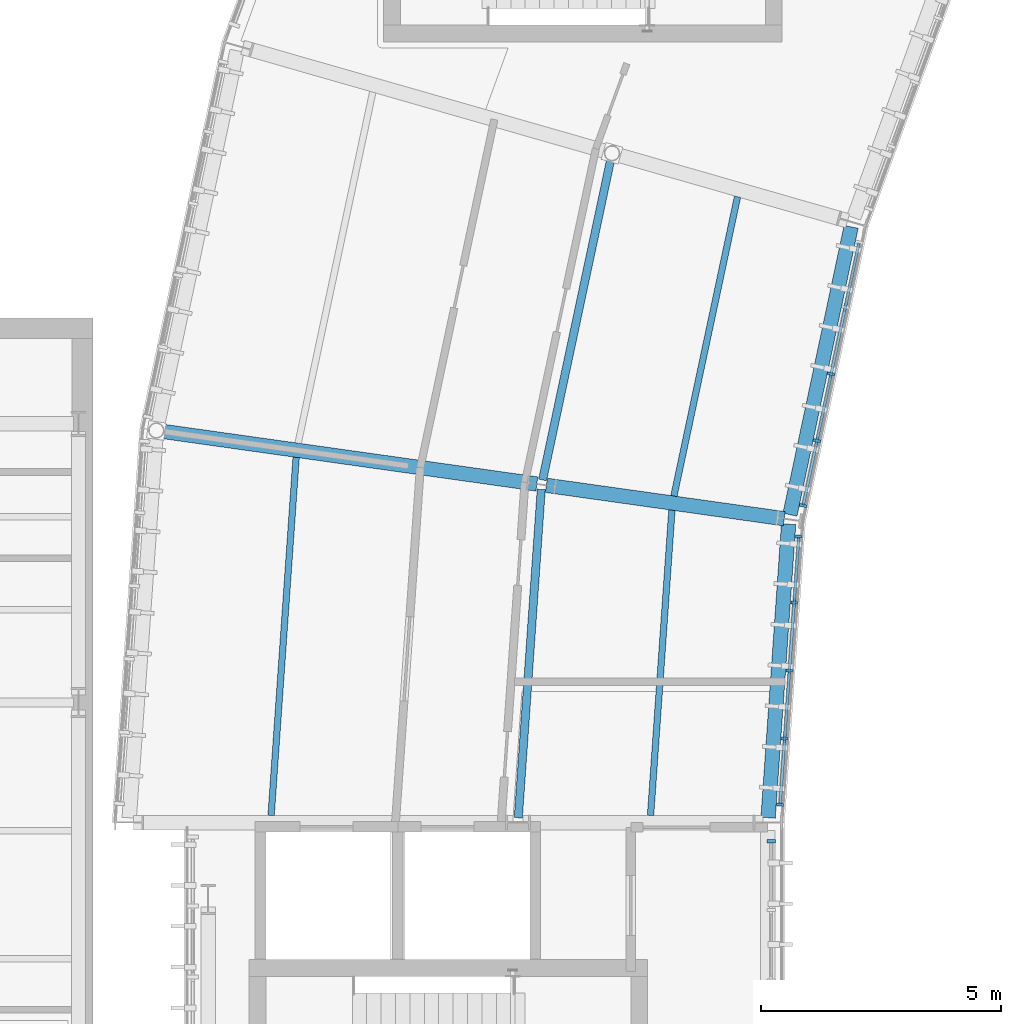
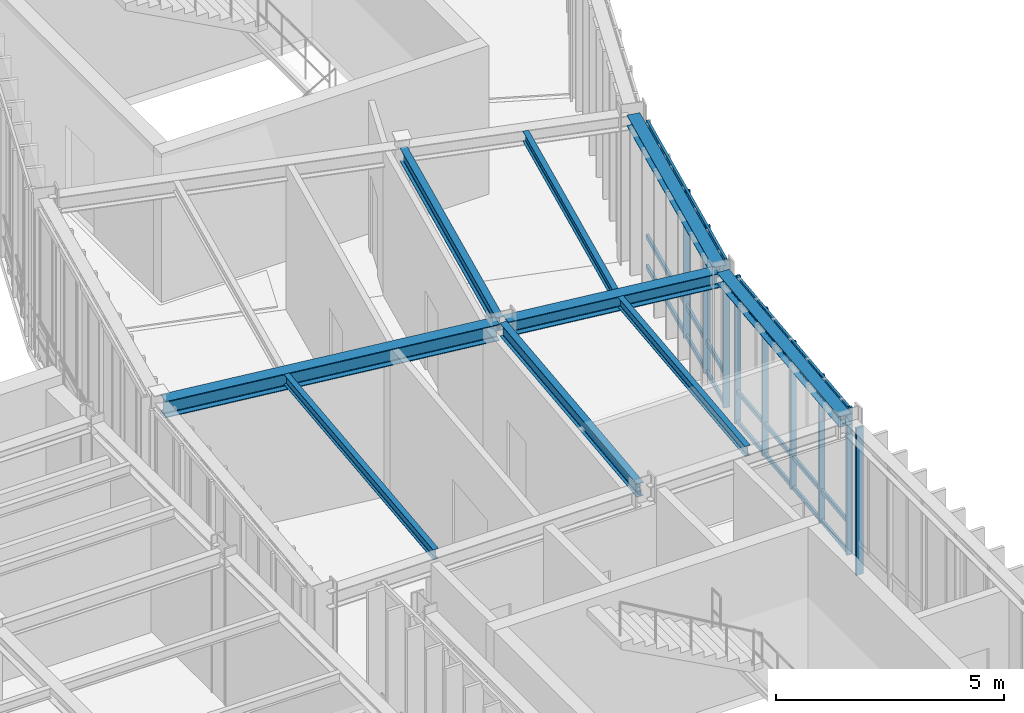
# One storey, part 19 of 148: 15 members, 9 beams, 3 elements without a shape of their own.
"""IFC4 building model written with IfcOpenShell, lengths in metres."""

from ifc_helpers import new_model, si_unit, direction, frame, origin, origin_2d, place, context, subcontext, project, spatial, rectangle, i_section, extrude, material, layer, layer_set, material_profile, profile_set, type_object, element, aggregate, save


model = new_model("IFC4")

# Units and contexts
model_context = context("Model", 3, precision=1e-05, world=origin(), true_north=direction((0.0, 1.0)))
body_context = subcontext(model_context, "Body", "Model", "MODEL_VIEW")
ifc_project = project(units=[si_unit("LENGTHUNIT", "METRE"), si_unit("AREAUNIT", "SQUARE_METRE"), si_unit("VOLUMEUNIT", "CUBIC_METRE"), si_unit("PLANEANGLEUNIT", "RADIAN"), si_unit("MASSUNIT", "GRAM", prefix="KILO"), si_unit("THERMODYNAMICTEMPERATUREUNIT", "KELVIN"), si_unit("POWERUNIT", "WATT")], contexts=[model_context])

# Site, building, storey
site_placement = place(None, origin())
site = spatial("IfcSite", under=ifc_project, at=site_placement, CompositionType="ELEMENT")
building_placement = place(site_placement, origin())
building = spatial("IfcBuilding", under=site, at=building_placement, Name="Solvatero Civic Police Headquarters", CompositionType="ELEMENT")
storey_placement = place(building_placement, frame((0.0, 0.0, 5.10009765625)))
storey = spatial("IfcBuildingStorey", under=building, at=storey_placement, Name="L01", CompositionType="ELEMENT", Elevation=5.10009765625)

# Beams
ifc_material_1 = material(Name="Steel S355", Category="steel")
ifc_material_profile_1 = material_profile(ifc_material_1, i_section(OverallWidth=0.300048828125, OverallDepth=0.2900390625, WebThickness=0.008544921875, FlangeThickness=0.013916015625, FilletRadius=0.027099609375, at=origin_2d()), Name="HEA 300")
ifc_profile_set_1 = profile_set([ifc_material_profile_1], Name="Steel S355")
beam_type_1 = type_object("IfcBeamType", Name="BM-ST-HEA300", PredefinedType="SPANDREL", material=ifc_profile_set_1)
beam_1_placement = place(storey_placement, frame((50.385986328125, 38.40234375, 3.8349609375), z_axis=(-0.207917848731, -0.978146291809, 0.0), x_axis=(0.978146291809, -0.207917848731, 0.0)))
element("IfcBeam", 1, at=beam_1_placement, inside=storey, type_object=beam_type_1, Name="Perimeter / radial spandrel beam BM-R2-L01-ARC-CIN-B11", PredefinedType="SPANDREL", context=body_context, shape_type="SweptSolid", body=[
    extrude(i_section(OverallWidth=0.300048828125, OverallDepth=0.2900390625, WebThickness=0.008544921875, FlangeThickness=0.013916015625, FilletRadius=0.027099609375, at=origin_2d()), origin(), (0.0, 0.0, 1.0), 6.126953125),
])
beam_2_placement = place(storey_placement, frame((49.084228515625, 32.211669921875, 3.8349609375), z_axis=(-0.069734750573, -0.997565569054, 0.0), x_axis=(0.997565569054, -0.069734750573, 0.0)))
element("IfcBeam", 2, at=beam_2_placement, inside=storey, type_object=beam_type_1, Name="Perimeter / radial spandrel beam BM-R2-L01-ARC-CIN-B12", PredefinedType="SPANDREL", context=body_context, shape_type="SweptSolid", body=[
    extrude(i_section(OverallWidth=0.300048828125, OverallDepth=0.2900390625, WebThickness=0.008544921875, FlangeThickness=0.013916015625, FilletRadius=0.027099609375, at=origin_2d()), origin(), (0.0, 0.0, 1.0), 6.126708984375),
])
ifc_material_profile_2 = material_profile(ifc_material_1, i_section(OverallWidth=0.300048828125, OverallDepth=0.389892578125, WebThickness=0.010986328125, FlangeThickness=0.01904296875, FilletRadius=0.027099609375, at=origin_2d()), Name="HEA 400")
ifc_profile_set_2 = profile_set([ifc_material_profile_2], Name="Steel S355")
beam_type_2 = type_object("IfcBeamType", Name="BM-ST-HEA400", PredefinedType="BEAM", material=ifc_profile_set_2)
beam_3_placement = place(storey_placement, frame((48.9921875, 32.325439453125, 3.784912109375), z_axis=(-0.990269200152, 0.139165050317, 0.0), x_axis=(-0.139165050317, -0.990269200152, 0.0)))
element("IfcBeam", 3, at=beam_3_placement, inside=storey, type_object=beam_type_2, Name="Primary girder BM-R2-L01-ARC-RAD1-S11", PredefinedType="BEAM", context=body_context, shape_type="SweptSolid", body=[
    extrude(i_section(OverallWidth=0.300048828125, OverallDepth=0.389892578125, WebThickness=0.010986328125, FlangeThickness=0.01904296875, FilletRadius=0.027099609375, at=origin_2d()), origin(), (0.0, 0.0, 1.0), 4.999755859375),
])
ifc_material_profile_3 = material_profile(ifc_material_1, i_section(OverallWidth=0.300048828125, OverallDepth=0.43994140625, WebThickness=0.011474609375, FlangeThickness=0.02099609375, FilletRadius=0.027099609375, at=origin_2d()), Name="HEA 450")
ifc_profile_set_3 = profile_set([ifc_material_profile_3], Name="Steel S355")
beam_type_3 = type_object("IfcBeamType", Name="BM-ST-HEA450", PredefinedType="BEAM", material=ifc_profile_set_3)
beam_4_placement = place(storey_placement, frame((43.843017578125, 33.049072265625, 3.760009765625), z_axis=(-0.990265898664, 0.139188540993, 0.0), x_axis=(-0.139188540993, -0.990265898664, 0.0)))
element("IfcBeam", 4, at=beam_4_placement, inside=storey, type_object=beam_type_3, Name="Primary girder BM-R2-L01-ARC-RAD2-S11", PredefinedType="BEAM", context=body_context, shape_type="SweptSolid", body=[
    extrude(i_section(OverallWidth=0.300048828125, OverallDepth=0.43994140625, WebThickness=0.011474609375, FlangeThickness=0.02099609375, FilletRadius=0.027099609375, at=origin_2d()), origin(), (0.0, 0.0, 1.0), 7.900146484375),
])
ifc_material_profile_4 = material_profile(ifc_material_1, i_section(OverallWidth=0.135009765625, OverallDepth=0.27001953125, WebThickness=0.006591796875, FlangeThickness=0.01025390625, FilletRadius=0.014892578125, at=origin_2d()), Name="IPE 270")
ifc_profile_set_4 = profile_set([ifc_material_profile_4], Name="Steel S355")
beam_type_4 = type_object("IfcBeamType", Name="BM-ST-IPE270", PredefinedType="BEAM", material=ifc_profile_set_4)
beam_5_placement = place(storey_placement, frame((48.0205078125, 39.02880859375, 3.844970703125), z_axis=(-0.207926610171, -0.978144429409, 0.0), x_axis=(0.978144429409, -0.207926610171, 0.0)))
element("IfcBeam", 5, at=beam_5_placement, inside=storey, type_object=beam_type_4, Name="Composite floor beam BM-R2-L01-ARC-CS1-B11", PredefinedType="BEAM", context=body_context, shape_type="SweptSolid", body=[
    extrude(i_section(OverallWidth=0.135009765625, OverallDepth=0.27001953125, WebThickness=0.006591796875, FlangeThickness=0.01025390625, FilletRadius=0.014892578125, at=origin_2d()), origin(), (0.0, 0.0, 1.0), 6.36865234375),
])
beam_6_placement = place(storey_placement, frame((46.65478515625, 32.5029296875, 3.844970703125), z_axis=(-0.069767710919, -0.997563264416, 0.0), x_axis=(0.997563264416, -0.069767710919, 0.0)))
element("IfcBeam", 6, at=beam_6_placement, inside=storey, type_object=beam_type_4, Name="Composite floor beam BM-R2-L01-ARC-CS1-B12", PredefinedType="BEAM", context=body_context, shape_type="SweptSolid", body=[
    extrude(i_section(OverallWidth=0.135009765625, OverallDepth=0.27001953125, WebThickness=0.006591796875, FlangeThickness=0.01025390625, FilletRadius=0.014892578125, at=origin_2d()), origin(), (0.0, 0.0, 1.0), 6.368896484375),
])
beam_7_placement = place(storey_placement, frame((38.83154296875, 33.602294921875, 3.844970703125), z_axis=(-0.069737421409, -0.997565382346, 0.0), x_axis=(0.997565382346, -0.069737421409, 0.0)))
element("IfcBeam", 7, at=beam_7_placement, inside=storey, type_object=beam_type_4, Name="Composite floor beam BM-R2-L01-ARC-CS2-B12", PredefinedType="BEAM", context=body_context, shape_type="SweptSolid", body=[
    extrude(i_section(OverallWidth=0.135009765625, OverallDepth=0.27001953125, WebThickness=0.006591796875, FlangeThickness=0.01025390625, FilletRadius=0.014892578125, at=origin_2d()), origin(), (0.0, 0.0, 1.0), 7.470947265625),
])
ifc_material_profile_5 = material_profile(ifc_material_1, i_section(OverallWidth=0.169921875, OverallDepth=0.360107421875, WebThickness=0.008056640625, FlangeThickness=0.0126953125, FilletRadius=0.01806640625, at=origin_2d()), Name="IPE 360")
ifc_profile_set_5 = profile_set([ifc_material_profile_5], Name="Steel S355")
beam_type_5 = type_object("IfcBeamType", Name="BM-ST-IPE360", PredefinedType="BEAM", material=ifc_profile_set_5)
beam_8_placement = place(storey_placement, frame((45.387451171875, 39.835693359375, 3.7998046875), z_axis=(-0.207927785808, -0.9781441795, 0.0), x_axis=(0.9781441795, -0.207927785808, 0.0)))
element("IfcBeam", 8, at=beam_8_placement, inside=storey, type_object=beam_type_5, Name="Composite floor beam BM-R2-L01-ARC-CMID-B11", PredefinedType="BEAM", context=body_context, shape_type="SweptSolid", body=[
    extrude(i_section(OverallWidth=0.169921875, OverallDepth=0.360107421875, WebThickness=0.008056640625, FlangeThickness=0.0126953125, FilletRadius=0.01806640625, at=origin_2d()), origin(), (0.0, 0.0, 1.0), 6.852294921875),
])
beam_9_placement = place(storey_placement, frame((43.934814453125, 32.935302734375, 3.7998046875), z_axis=(-0.069727722696, -0.997566060313, 0.0), x_axis=(0.997566060313, -0.069727722696, 0.0)))
element("IfcBeam", 9, at=beam_9_placement, inside=storey, type_object=beam_type_5, Name="Composite floor beam BM-R2-L01-ARC-CMID-B12", PredefinedType="BEAM", context=body_context, shape_type="SweptSolid", body=[
    extrude(i_section(OverallWidth=0.169921875, OverallDepth=0.360107421875, WebThickness=0.008056640625, FlangeThickness=0.0126953125, FilletRadius=0.01806640625, at=origin_2d()), origin(), (0.0, 0.0, 1.0), 6.85205078125),
])

# Curtain wall, members
ifc_material_2 = material(Name="Anodized Bronze Aluminium", Category="aluminium")
ifc_layer_1 = layer(ifc_material_2, 0.179931640625)
ifc_layer_set_1 = layer_set([ifc_layer_1], Name="Anodized Bronze Aluminium")
curtain_wall_type_1 = type_object("IfcCurtainWallType", Name="CW-ARC-IN", PredefinedType="USERDEFINED", material=ifc_layer_set_1)
curtain_wall_1_placement = place(storey_placement, origin())
curtain_wall_1 = element("IfcCurtainWall", 10, at=curtain_wall_1_placement, inside=storey, type_object=curtain_wall_type_1, Name="Curtain Wall CW-R2-L01-ARC-IN-B12", ObjectType="UNITISED", PredefinedType="USERDEFINED")
ifc_material_profile_6 = material_profile(ifc_material_2, rectangle(XDim=0.06005859375, YDim=0.139892578125, at=origin_2d()), Name="ALU MULLION 60x140")
ifc_profile_set_6 = profile_set([ifc_material_profile_6], Name="Anodized Bronze Aluminium")
member_type_1 = type_object("IfcMemberType", Name="CWM-160x65", PredefinedType="MULLION", material=ifc_profile_set_6)
member_1_placement = place(storey_placement, frame((49.29638671875, 31.954345703125, 0.0), z_axis=(0.0, 0.0, 1.0), x_axis=(-0.069739062956, -0.997565267588, 0.0)))
member_1 = element("IfcMember", 11, at=member_1_placement, type_object=member_type_1, Name="CW-R2-L01-ARC-IN-B12 Mullion 1", PredefinedType="MULLION", context=body_context, shape_type="SweptSolid", body=[
    extrude(rectangle(XDim=0.06005859375, YDim=0.139892578125, at=origin_2d()), origin(), (0.0, 0.0, 1.0), 3.93994140625),
])
member_2_placement = place(storey_placement, frame((49.2001953125, 30.5791015625, 0.0), z_axis=(0.0, 0.0, 1.0), x_axis=(-0.069739062956, -0.997565267588, 0.0)))
member_2 = element("IfcMember", 12, at=member_2_placement, type_object=member_type_1, Name="CW-R2-L01-ARC-IN-B12 Mullion 2", PredefinedType="MULLION", context=body_context, shape_type="SweptSolid", body=[
    extrude(rectangle(XDim=0.06005859375, YDim=0.139892578125, at=origin_2d()), origin(), (0.0, 0.0, 1.0), 3.93994140625),
])
member_3_placement = place(storey_placement, frame((49.101318359375, 29.163818359375, 0.0), z_axis=(0.0, 0.0, 1.0), x_axis=(-0.069739062956, -0.997565267588, 0.0)))
member_3 = element("IfcMember", 13, at=member_3_placement, type_object=member_type_1, Name="CW-R2-L01-ARC-IN-B12 Mullion 3", PredefinedType="MULLION", context=body_context, shape_type="SweptSolid", body=[
    extrude(rectangle(XDim=0.06005859375, YDim=0.139892578125, at=origin_2d()), origin(), (0.0, 0.0, 1.0), 3.93994140625),
])
member_4_placement = place(storey_placement, frame((49.002197265625, 27.74853515625, 0.0), z_axis=(0.0, 0.0, 1.0), x_axis=(-0.069739062956, -0.997565267588, 0.0)))
member_4 = element("IfcMember", 14, at=member_4_placement, type_object=member_type_1, Name="CW-R2-L01-ARC-IN-B12 Mullion 4", PredefinedType="MULLION", context=body_context, shape_type="SweptSolid", body=[
    extrude(rectangle(XDim=0.06005859375, YDim=0.139892578125, at=origin_2d()), origin(), (0.0, 0.0, 1.0), 3.93994140625),
])
member_5_placement = place(storey_placement, frame((48.906005859375, 26.373046875, 0.0), z_axis=(0.0, 0.0, 1.0), x_axis=(-0.069739062956, -0.997565267588, 0.0)))
member_5 = element("IfcMember", 15, at=member_5_placement, type_object=member_type_1, Name="CW-R2-L01-ARC-IN-B12 Mullion 5", PredefinedType="MULLION", context=body_context, shape_type="SweptSolid", body=[
    extrude(rectangle(XDim=0.06005859375, YDim=0.139892578125, at=origin_2d()), origin(), (0.0, 0.0, 1.0), 3.93994140625),
])

curtain_wall_2_placement = place(storey_placement, origin())
curtain_wall_2 = element("IfcCurtainWall", 16, at=curtain_wall_2_placement, inside=storey, type_object=curtain_wall_type_1, Name="Curtain Wall CW-R2-L01-ARC-IN-B11", ObjectType="UNITISED", PredefinedType="USERDEFINED")
ifc_material_profile_7 = material_profile(ifc_material_2, rectangle(XDim=0.06005859375, YDim=0.159912109375, at=origin_2d()), Name="ALU MULLION 60x160")
ifc_profile_set_7 = profile_set([ifc_material_profile_7], Name="Anodized Bronze Aluminium")
member_type_2 = type_object("IfcMemberType", Name="CWM-180x70", PredefinedType="MULLION", material=ifc_profile_set_7)
member_6_placement = place(storey_placement, frame((49.969482421875, 35.339599609375, 0.0), z_axis=(0.0, 0.0, 1.0), x_axis=(-0.207911690818, -0.978147600734, 0.0)))
member_6 = element("IfcMember", 17, at=member_6_placement, type_object=member_type_2, Name="CW-R2-L01-ARC-IN-B11 Mullion 3", PredefinedType="MULLION", context=body_context, shape_type="SweptSolid", body=[
    extrude(rectangle(XDim=0.06005859375, YDim=0.159912109375, at=origin_2d()), origin(), (0.0, 0.0, 1.0), 3.93994140625),
])
member_7_placement = place(storey_placement, frame((49.674072265625, 33.949462890625, 0.0), z_axis=(0.0, 0.0, 1.0), x_axis=(-0.207911690818, -0.978147600734, 0.0)))
member_7 = element("IfcMember", 18, at=member_7_placement, type_object=member_type_2, Name="CW-R2-L01-ARC-IN-B11 Mullion 4", PredefinedType="MULLION", context=body_context, shape_type="SweptSolid", body=[
    extrude(rectangle(XDim=0.06005859375, YDim=0.159912109375, at=origin_2d()), origin(), (0.0, 0.0, 1.0), 3.93994140625),
])
member_8_placement = place(storey_placement, frame((49.38671875, 32.598388671875, 0.0), z_axis=(0.0, 0.0, 1.0), x_axis=(-0.207911690818, -0.978147600734, 0.0)))
member_8 = element("IfcMember", 19, at=member_8_placement, type_object=member_type_2, Name="CW-R2-L01-ARC-IN-B11 Mullion 5", PredefinedType="MULLION", context=body_context, shape_type="SweptSolid", body=[
    extrude(rectangle(XDim=0.06005859375, YDim=0.159912109375, at=origin_2d()), origin(), (0.0, 0.0, 1.0), 3.93994140625),
])

# Curtain wall, member
ifc_layer_2 = layer(ifc_material_2, 0.179931640625)
ifc_layer_set_2 = layer_set([ifc_layer_2], Name="Anodized Bronze Aluminium")
curtain_wall_type_2 = type_object("IfcCurtainWallType", Name="CW-PROW-GLZ", PredefinedType="USERDEFINED", material=ifc_layer_set_2)
curtain_wall_3_placement = place(storey_placement, origin())
curtain_wall_3 = element("IfcCurtainWall", 20, at=curtain_wall_3_placement, inside=storey, type_object=curtain_wall_type_2, Name="Curtain Wall CW-R2-L01-PROW-E", ObjectType="UNITISED", PredefinedType="USERDEFINED")
ifc_material_profile_8 = material_profile(ifc_material_2, rectangle(XDim=0.06494140625, YDim=0.179931640625, at=origin_2d()), Name="ALU MULLION 65x180")
ifc_profile_set_8 = profile_set([ifc_material_profile_8], Name="Anodized Bronze Aluminium")
member_type_3 = type_object("IfcMemberType", Name="CWM-200x75", PredefinedType="MULLION", material=ifc_profile_set_8)
member_9_placement = place(storey_placement, frame((48.719970703125, 25.610107421875, 0.0), z_axis=(0.0, 0.0, 1.0), x_axis=(0.0, 1.0, 0.0)))
member_9 = element("IfcMember", 21, at=member_9_placement, type_object=member_type_3, Name="CW-R2-L01-PROW-E Mullion 9", PredefinedType="MULLION", context=body_context, shape_type="SweptSolid", body=[
    extrude(rectangle(XDim=0.06494140625, YDim=0.179931640625, at=origin_2d()), origin(), (0.0, 0.0, 1.0), 3.93994140625),
])
aggregate(curtain_wall_3, [member_9])

# Member
ifc_material_profile_9 = material_profile(ifc_material_2, rectangle(XDim=0.06005859375, YDim=0.110107421875, at=origin_2d()), Name="ALU TRANSOM 60x110")
ifc_profile_set_9 = profile_set([ifc_material_profile_9], Name="Anodized Bronze Aluminium")
member_type_4 = type_object("IfcMemberType", Name="CWT-140x60", PredefinedType="USERDEFINED", material=ifc_profile_set_9)
member_10_placement = place(storey_placement, frame((49.295654296875, 31.9443359375, 0.039794921875), z_axis=(-0.069762450776, -0.997563632287, 0.0), x_axis=(0.997563632287, -0.069762450776, 0.0)))
member_10 = element("IfcMember", 22, at=member_10_placement, type_object=member_type_4, Name="CW-R2-L01-ARC-IN-B12 Transom 1", ObjectType="TRANSOM", PredefinedType="USERDEFINED", context=body_context, shape_type="SweptSolid", body=[
    extrude(rectangle(XDim=0.06005859375, YDim=0.110107421875, at=origin_2d()), origin(), (0.0, 0.0, 1.0), 5.574951171875),
])

member_11_placement = place(storey_placement, frame((49.295654296875, 31.9443359375, 0.849853515625), z_axis=(-0.069762450776, -0.997563632287, 0.0), x_axis=(0.997563632287, -0.069762450776, 0.0)))
member_11 = element("IfcMember", 23, at=member_11_placement, type_object=member_type_4, Name="CW-R2-L01-ARC-IN-B12 Transom 2", ObjectType="TRANSOM", PredefinedType="USERDEFINED", context=body_context, shape_type="SweptSolid", body=[
    extrude(rectangle(XDim=0.06005859375, YDim=0.110107421875, at=origin_2d()), origin(), (0.0, 0.0, 1.0), 5.574951171875),
])

member_12_placement = place(storey_placement, frame((49.295654296875, 31.9443359375, 3.89990234375), z_axis=(-0.069762450776, -0.997563632287, 0.0), x_axis=(0.997563632287, -0.069762450776, 0.0)))
member_12 = element("IfcMember", 24, at=member_12_placement, type_object=member_type_4, Name="CW-R2-L01-ARC-IN-B12 Transom 3", ObjectType="TRANSOM", PredefinedType="USERDEFINED", context=body_context, shape_type="SweptSolid", body=[
    extrude(rectangle(XDim=0.06005859375, YDim=0.110107421875, at=origin_2d()), origin(), (0.0, 0.0, 1.0), 5.574951171875),
])

aggregate(curtain_wall_1, [member_1, member_2, member_3, member_4, member_5, member_10, member_11, member_12])

ifc_material_profile_10 = material_profile(ifc_material_2, rectangle(XDim=0.06005859375, YDim=0.125, at=origin_2d()), Name="ALU TRANSOM 60x125")
ifc_profile_set_10 = profile_set([ifc_material_profile_10], Name="Anodized Bronze Aluminium")
member_type_5 = type_object("IfcMemberType", Name="CWT-160x65", PredefinedType="USERDEFINED", material=ifc_profile_set_10)
member_13_placement = place(storey_placement, frame((50.550048828125, 38.071044921875, 0.039794921875), z_axis=(-0.207904763665, -0.97814907312, 0.0), x_axis=(0.97814907312, -0.207904763665, 0.0)))
member_13 = element("IfcMember", 25, at=member_13_placement, type_object=member_type_5, Name="CW-R2-L01-ARC-IN-B11 Transom 1", ObjectType="TRANSOM", PredefinedType="USERDEFINED", context=body_context, shape_type="SweptSolid", body=[
    extrude(rectangle(XDim=0.06005859375, YDim=0.125, at=origin_2d()), origin(), (0.0, 0.0, 1.0), 5.5849609375),
])

member_14_placement = place(storey_placement, frame((50.550048828125, 38.071044921875, 0.849853515625), z_axis=(-0.207904763665, -0.97814907312, 0.0), x_axis=(0.97814907312, -0.207904763665, 0.0)))
member_14 = element("IfcMember", 26, at=member_14_placement, type_object=member_type_5, Name="CW-R2-L01-ARC-IN-B11 Transom 2", ObjectType="TRANSOM", PredefinedType="USERDEFINED", context=body_context, shape_type="SweptSolid", body=[
    extrude(rectangle(XDim=0.06005859375, YDim=0.125, at=origin_2d()), origin(), (0.0, 0.0, 1.0), 5.5849609375),
])

member_15_placement = place(storey_placement, frame((50.550048828125, 38.071044921875, 3.89990234375), z_axis=(-0.207904763665, -0.97814907312, 0.0), x_axis=(0.97814907312, -0.207904763665, 0.0)))
member_15 = element("IfcMember", 27, at=member_15_placement, type_object=member_type_5, Name="CW-R2-L01-ARC-IN-B11 Transom 3", ObjectType="TRANSOM", PredefinedType="USERDEFINED", context=body_context, shape_type="SweptSolid", body=[
    extrude(rectangle(XDim=0.06005859375, YDim=0.125, at=origin_2d()), origin(), (0.0, 0.0, 1.0), 5.5849609375),
])

aggregate(curtain_wall_2, [member_6, member_7, member_8, member_13, member_14, member_15])

save(model, "model.ifc")
